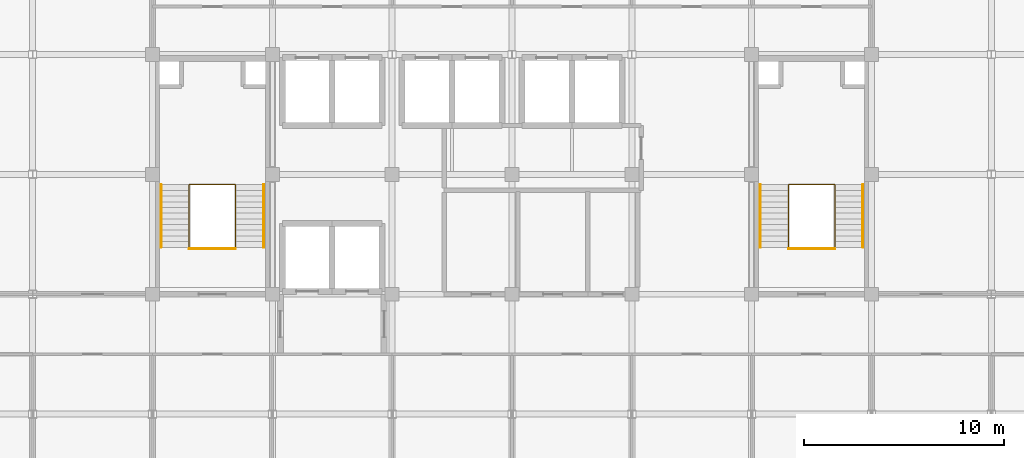
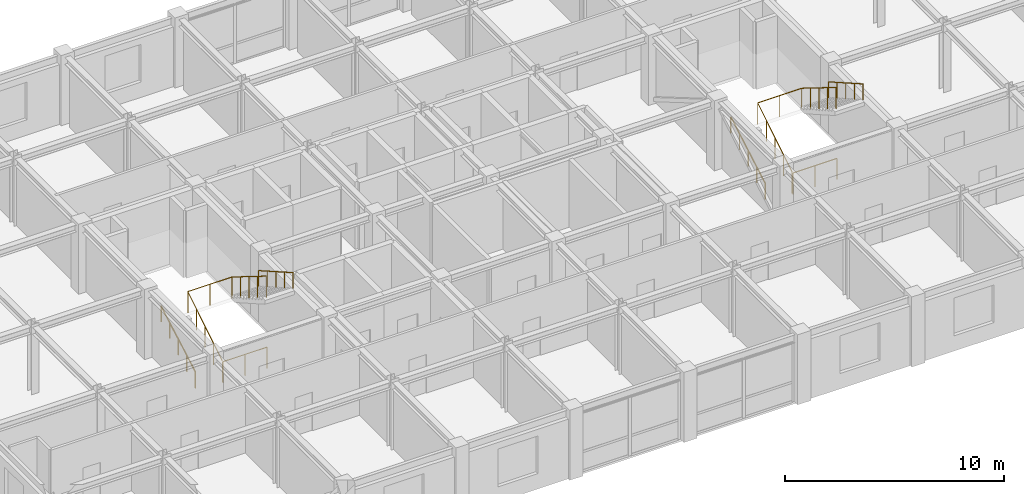
# One storey, part 14 of 14: 8 railings.
"""IFC4 building model written with IfcOpenShell, lengths in metres."""

from ifc_helpers import new_model, si_unit, direction, frame, origin, origin_2d, place, context, subcontext, project, spatial, circle, extrude, material, type_object, element, save


model = new_model("IFC4")

# Units and contexts
model_context = context("Model", 3, precision=1e-05, world=origin(), true_north=direction((0.0, 1.0)))
body_context = subcontext(model_context, "Body", "Model", "MODEL_VIEW")
ifc_project = project(units=[si_unit("LENGTHUNIT", "METRE"), si_unit("AREAUNIT", "SQUARE_METRE"), si_unit("VOLUMEUNIT", "CUBIC_METRE"), si_unit("PLANEANGLEUNIT", "RADIAN"), si_unit("MASSUNIT", "GRAM", prefix="KILO")], contexts=[model_context])

# Site, building, storey
site_placement = place(None, origin())
site = spatial("IfcSite", under=ifc_project, at=site_placement, CompositionType="ELEMENT")
building_placement = place(site_placement, origin())
building = spatial("IfcBuilding", under=site, at=building_placement, Name="Zlatovratsky Civic Hall", CompositionType="ELEMENT")
storey_placement = place(building_placement, frame((0.0, 0.0, 28.800048828125)))
storey = spatial("IfcBuildingStorey", under=building, at=storey_placement, Name="L07", CompositionType="ELEMENT", Elevation=28.800048828125)

# Railings
ifc_material = material(Name="Brushed stainless steel AISI 304", Category="steel")
railing_type_1 = type_object("IfcRailingType", Name="Railing_Guardrail_1200", PredefinedType="GUARDRAIL", material=ifc_material)
railing_1_placement = place(storey_placement, frame((67.840087890625, 86.35009765625, 0.0)))
element("IfcRailing", 1, at=railing_1_placement, inside=storey, type_object=railing_type_1, Name="RL-0528", PredefinedType="GUARDRAIL", context=body_context, shape_type="SweptSolid", body=[
    extrude(circle(Radius=0.02392578125, at=origin_2d()), frame((0.0, 0.0, 1.17578125), z_axis=(0.0, 0.849144259976, 0.528160984692), x_axis=(-1.0, 0.0, 0.0)), (0.0, 0.0, 1.0), 3.69189453125),
    extrude(circle(Radius=0.02392578125, at=origin_2d()), frame((0.0, 3.135009765625, 3.1259765625), z_axis=(1.0, 0.0, 0.0), x_axis=(0.0, 1.0, 0.0)), (0.0, 0.0, 1.0), 2.31982421875),
    extrude(circle(Radius=0.02392578125, at=origin_2d()), frame((2.31982421875, 3.135009765625, 3.1259765625), z_axis=(0.0, -0.849144259976, 0.528160984692), x_axis=(1.0, 0.0, 0.0)), (0.0, 0.0, 1.0), 3.69189453125),
    extrude(circle(Radius=0.02099609375, at=origin_2d()), origin(), (0.0, 0.0, 1.0), 1.15185546875),
    extrude(circle(Radius=0.02099609375, at=origin_2d()), frame((0.0, 0.78369140625, 0.487548828125)), (0.0, 0.0, 1.0), 1.15185546875),
    extrude(circle(Radius=0.02099609375, at=origin_2d()), frame((0.0, 1.5673828125, 0.97509765625)), (0.0, 0.0, 1.0), 1.15185546875),
    extrude(circle(Radius=0.02099609375, at=origin_2d()), frame((0.0, 2.351318359375, 1.46240234375)), (0.0, 0.0, 1.0), 1.15185546875),
    extrude(circle(Radius=0.02099609375, at=origin_2d()), frame((0.0, 3.135009765625, 1.949951171875)), (0.0, 0.0, 1.0), 1.15185546875),
    extrude(circle(Radius=0.02099609375, at=origin_2d()), frame((1.159912109375, 3.135009765625, 1.949951171875)), (0.0, 0.0, 1.0), 1.15185546875),
    extrude(circle(Radius=0.02099609375, at=origin_2d()), frame((2.31982421875, 3.135009765625, 1.949951171875)), (0.0, 0.0, 1.0), 1.15185546875),
    extrude(circle(Radius=0.02099609375, at=origin_2d()), frame((2.31982421875, 2.351318359375, 2.4375)), (0.0, 0.0, 1.0), 1.15185546875),
    extrude(circle(Radius=0.02099609375, at=origin_2d()), frame((2.31982421875, 1.5673828125, 2.9248046875)), (0.0, 0.0, 1.0), 1.15185546875),
    extrude(circle(Radius=0.02099609375, at=origin_2d()), frame((2.31982421875, 0.78369140625, 3.412353515625)), (0.0, 0.0, 1.0), 1.15185546875),
    extrude(circle(Radius=0.02099609375, at=origin_2d()), frame((2.31982421875, 0.0, 3.89990234375)), (0.0, 0.0, 1.0), 1.15185546875),
])
railing_2_placement = place(storey_placement, frame((67.840087890625, 86.27001953125, 0.0)))
element("IfcRailing", 2, at=railing_2_placement, inside=storey, type_object=railing_type_1, Name="RL-0531", PredefinedType="GUARDRAIL", context=body_context, shape_type="SweptSolid", body=[
    extrude(circle(Radius=0.02392578125, at=origin_2d()), frame((0.0, 0.0, 1.17578125), z_axis=(1.0, 0.0, 0.0), x_axis=(0.0, 1.0, 0.0)), (0.0, 0.0, 1.0), 2.31982421875),
    extrude(circle(Radius=0.02099609375, at=origin_2d()), origin(), (0.0, 0.0, 1.0), 1.15185546875),
    extrude(circle(Radius=0.02099609375, at=origin_2d()), frame((1.159912109375, 0.0, 0.0)), (0.0, 0.0, 1.0), 1.15185546875),
    extrude(circle(Radius=0.02099609375, at=origin_2d()), frame((2.31982421875, 0.0, 0.0)), (0.0, 0.0, 1.0), 1.15185546875),
])
railing_3_placement = place(storey_placement, frame((97.840087890625, 86.35009765625, 0.0)))
element("IfcRailing", 3, at=railing_3_placement, inside=storey, type_object=railing_type_1, Name="RL-0604", PredefinedType="GUARDRAIL", context=body_context, shape_type="SweptSolid", body=[
    extrude(circle(Radius=0.02392578125, at=origin_2d()), frame((0.0, 0.0, 1.17578125), z_axis=(0.0, 0.849144259976, 0.528160984692), x_axis=(-1.0, 0.0, 0.0)), (0.0, 0.0, 1.0), 3.69189453125),
    extrude(circle(Radius=0.02392578125, at=origin_2d()), frame((0.0, 3.135009765625, 3.1259765625), z_axis=(1.0, 0.0, 0.0), x_axis=(0.0, 1.0, 0.0)), (0.0, 0.0, 1.0), 2.31982421875),
    extrude(circle(Radius=0.02392578125, at=origin_2d()), frame((2.31982421875, 3.135009765625, 3.1259765625), z_axis=(0.0, -0.849144259976, 0.528160984692), x_axis=(1.0, 0.0, 0.0)), (0.0, 0.0, 1.0), 3.69189453125),
    extrude(circle(Radius=0.02099609375, at=origin_2d()), origin(), (0.0, 0.0, 1.0), 1.15185546875),
    extrude(circle(Radius=0.02099609375, at=origin_2d()), frame((0.0, 0.78369140625, 0.487548828125)), (0.0, 0.0, 1.0), 1.15185546875),
    extrude(circle(Radius=0.02099609375, at=origin_2d()), frame((0.0, 1.5673828125, 0.97509765625)), (0.0, 0.0, 1.0), 1.15185546875),
    extrude(circle(Radius=0.02099609375, at=origin_2d()), frame((0.0, 2.351318359375, 1.46240234375)), (0.0, 0.0, 1.0), 1.15185546875),
    extrude(circle(Radius=0.02099609375, at=origin_2d()), frame((0.0, 3.135009765625, 1.949951171875)), (0.0, 0.0, 1.0), 1.15185546875),
    extrude(circle(Radius=0.02099609375, at=origin_2d()), frame((1.159912109375, 3.135009765625, 1.949951171875)), (0.0, 0.0, 1.0), 1.15185546875),
    extrude(circle(Radius=0.02099609375, at=origin_2d()), frame((2.31982421875, 3.135009765625, 1.949951171875)), (0.0, 0.0, 1.0), 1.15185546875),
    extrude(circle(Radius=0.02099609375, at=origin_2d()), frame((2.31982421875, 2.351318359375, 2.4375)), (0.0, 0.0, 1.0), 1.15185546875),
    extrude(circle(Radius=0.02099609375, at=origin_2d()), frame((2.31982421875, 1.5673828125, 2.9248046875)), (0.0, 0.0, 1.0), 1.15185546875),
    extrude(circle(Radius=0.02099609375, at=origin_2d()), frame((2.31982421875, 0.78369140625, 3.412353515625)), (0.0, 0.0, 1.0), 1.15185546875),
    extrude(circle(Radius=0.02099609375, at=origin_2d()), frame((2.31982421875, 0.0, 3.89990234375)), (0.0, 0.0, 1.0), 1.15185546875),
])
railing_4_placement = place(storey_placement, frame((97.840087890625, 86.27001953125, 0.0)))
element("IfcRailing", 4, at=railing_4_placement, inside=storey, type_object=railing_type_1, Name="RL-0607", PredefinedType="GUARDRAIL", context=body_context, shape_type="SweptSolid", body=[
    extrude(circle(Radius=0.02392578125, at=origin_2d()), frame((0.0, 0.0, 1.17578125), z_axis=(1.0, 0.0, 0.0), x_axis=(0.0, 1.0, 0.0)), (0.0, 0.0, 1.0), 2.31982421875),
    extrude(circle(Radius=0.02099609375, at=origin_2d()), origin(), (0.0, 0.0, 1.0), 1.15185546875),
    extrude(circle(Radius=0.02099609375, at=origin_2d()), frame((1.159912109375, 0.0, 0.0)), (0.0, 0.0, 1.0), 1.15185546875),
    extrude(circle(Radius=0.02099609375, at=origin_2d()), frame((2.31982421875, 0.0, 0.0)), (0.0, 0.0, 1.0), 1.15185546875),
])
railing_type_2 = type_object("IfcRailingType", Name="Railing_Handrail_900", PredefinedType="HANDRAIL", material=ifc_material)
railing_5_placement = place(storey_placement, frame((66.429931640625, 86.35009765625, 0.162841796875)))
element("IfcRailing", 5, at=railing_5_placement, inside=storey, type_object=railing_type_2, Name="RL-0529", PredefinedType="HANDRAIL", context=body_context, shape_type="SweptSolid", body=[
    extrude(circle(Radius=0.02392578125, at=origin_2d()), frame((0.0, 0.0, 0.8759765625), z_axis=(0.0, 0.868758932409, 0.495235214176), x_axis=(-1.0, 0.0, 0.0)), (0.0, 0.0, 1.0), 3.608642578125),
    extrude(circle(Radius=0.02099609375, at=origin_2d()), origin(), (0.0, 0.0, 1.0), 0.851806640625),
    extrude(circle(Radius=0.02099609375, at=origin_2d()), frame((0.0, 0.78369140625, 0.44677734375)), (0.0, 0.0, 1.0), 0.851806640625),
    extrude(circle(Radius=0.02099609375, at=origin_2d()), frame((0.0, 1.5673828125, 0.8935546875)), (0.0, 0.0, 1.0), 0.851806640625),
    extrude(circle(Radius=0.02099609375, at=origin_2d()), frame((0.0, 2.351318359375, 1.34033203125)), (0.0, 0.0, 1.0), 0.851806640625),
    extrude(circle(Radius=0.02099609375, at=origin_2d()), frame((0.0, 3.135009765625, 1.787109375)), (0.0, 0.0, 1.0), 0.851806640625),
])
railing_6_placement = place(storey_placement, frame((71.570068359375, 89.485107421875, 2.113037109375)))
element("IfcRailing", 6, at=railing_6_placement, inside=storey, type_object=railing_type_2, Name="RL-0530", PredefinedType="HANDRAIL", context=body_context, shape_type="SweptSolid", body=[
    extrude(circle(Radius=0.02392578125, at=origin_2d()), frame((0.0, 0.0, 0.8759765625), z_axis=(0.0, -0.868788039808, 0.495184149471), x_axis=(1.0, 0.0, 0.0)), (0.0, 0.0, 1.0), 3.6083984375),
    extrude(circle(Radius=0.02099609375, at=origin_2d()), origin(), (0.0, 0.0, 1.0), 0.851806640625),
    extrude(circle(Radius=0.02099609375, at=origin_2d()), frame((0.0, -0.78369140625, 0.44677734375)), (0.0, 0.0, 1.0), 0.851806640625),
    extrude(circle(Radius=0.02099609375, at=origin_2d()), frame((0.0, -1.5673828125, 0.8935546875)), (0.0, 0.0, 1.0), 0.851806640625),
    extrude(circle(Radius=0.02099609375, at=origin_2d()), frame((0.0, -2.351318359375, 1.340087890625)), (0.0, 0.0, 1.0), 0.851806640625),
    extrude(circle(Radius=0.02099609375, at=origin_2d()), frame((0.0, -3.135009765625, 1.786865234375)), (0.0, 0.0, 1.0), 0.851806640625),
])
railing_7_placement = place(storey_placement, frame((96.429931640625, 86.35009765625, 0.162841796875)))
element("IfcRailing", 7, at=railing_7_placement, inside=storey, type_object=railing_type_2, Name="RL-0605", PredefinedType="HANDRAIL", context=body_context, shape_type="SweptSolid", body=[
    extrude(circle(Radius=0.02392578125, at=origin_2d()), frame((0.0, 0.0, 0.8759765625), z_axis=(0.0, 0.868758932409, 0.495235214176), x_axis=(-1.0, 0.0, 0.0)), (0.0, 0.0, 1.0), 3.608642578125),
    extrude(circle(Radius=0.02099609375, at=origin_2d()), origin(), (0.0, 0.0, 1.0), 0.851806640625),
    extrude(circle(Radius=0.02099609375, at=origin_2d()), frame((0.0, 0.78369140625, 0.44677734375)), (0.0, 0.0, 1.0), 0.851806640625),
    extrude(circle(Radius=0.02099609375, at=origin_2d()), frame((0.0, 1.5673828125, 0.8935546875)), (0.0, 0.0, 1.0), 0.851806640625),
    extrude(circle(Radius=0.02099609375, at=origin_2d()), frame((0.0, 2.351318359375, 1.34033203125)), (0.0, 0.0, 1.0), 0.851806640625),
    extrude(circle(Radius=0.02099609375, at=origin_2d()), frame((0.0, 3.135009765625, 1.787109375)), (0.0, 0.0, 1.0), 0.851806640625),
])
railing_8_placement = place(storey_placement, frame((101.570068359375, 89.485107421875, 2.113037109375)))
element("IfcRailing", 8, at=railing_8_placement, inside=storey, type_object=railing_type_2, Name="RL-0606", PredefinedType="HANDRAIL", context=body_context, shape_type="SweptSolid", body=[
    extrude(circle(Radius=0.02392578125, at=origin_2d()), frame((0.0, 0.0, 0.8759765625), z_axis=(0.0, -0.868788039808, 0.495184149471), x_axis=(1.0, 0.0, 0.0)), (0.0, 0.0, 1.0), 3.6083984375),
    extrude(circle(Radius=0.02099609375, at=origin_2d()), origin(), (0.0, 0.0, 1.0), 0.851806640625),
    extrude(circle(Radius=0.02099609375, at=origin_2d()), frame((0.0, -0.78369140625, 0.44677734375)), (0.0, 0.0, 1.0), 0.851806640625),
    extrude(circle(Radius=0.02099609375, at=origin_2d()), frame((0.0, -1.5673828125, 0.8935546875)), (0.0, 0.0, 1.0), 0.851806640625),
    extrude(circle(Radius=0.02099609375, at=origin_2d()), frame((0.0, -2.351318359375, 1.340087890625)), (0.0, 0.0, 1.0), 0.851806640625),
    extrude(circle(Radius=0.02099609375, at=origin_2d()), frame((0.0, -3.135009765625, 1.786865234375)), (0.0, 0.0, 1.0), 0.851806640625),
])

save(model, "model.ifc")
